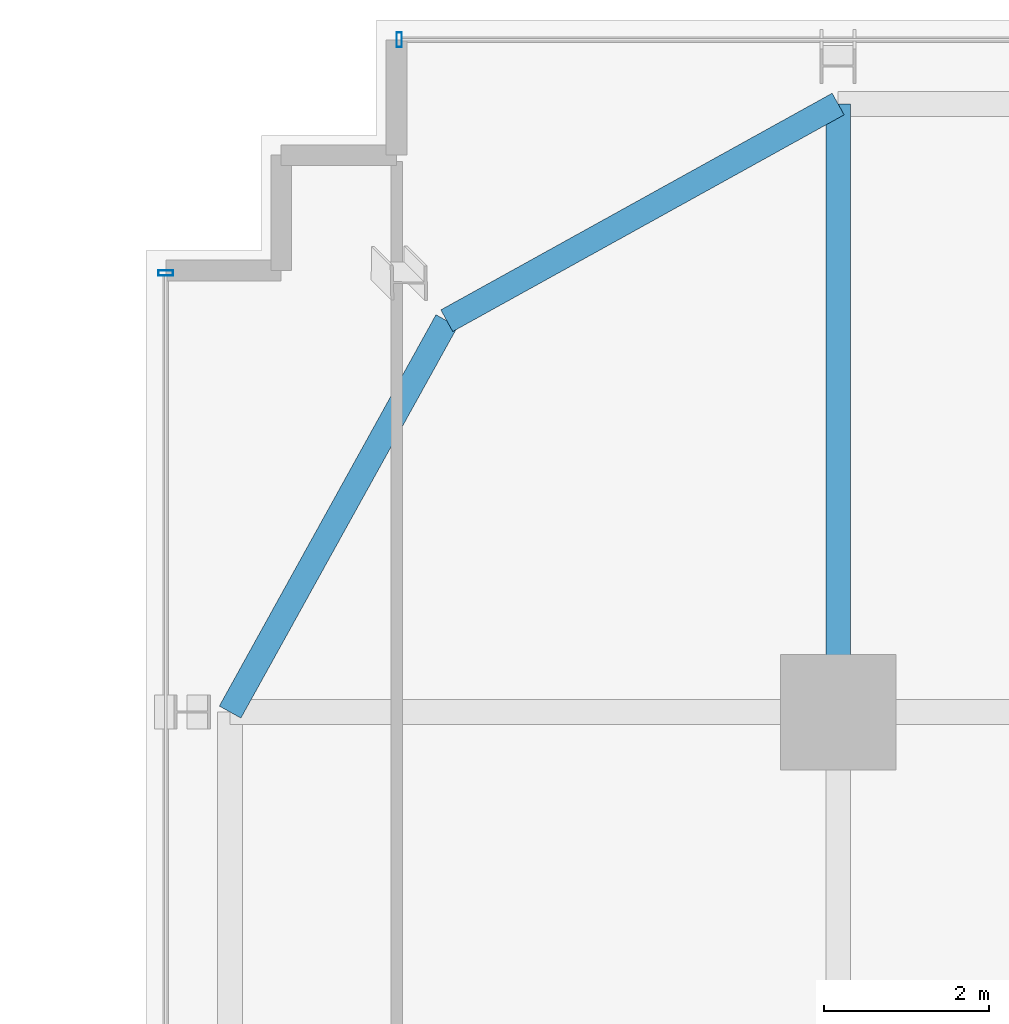
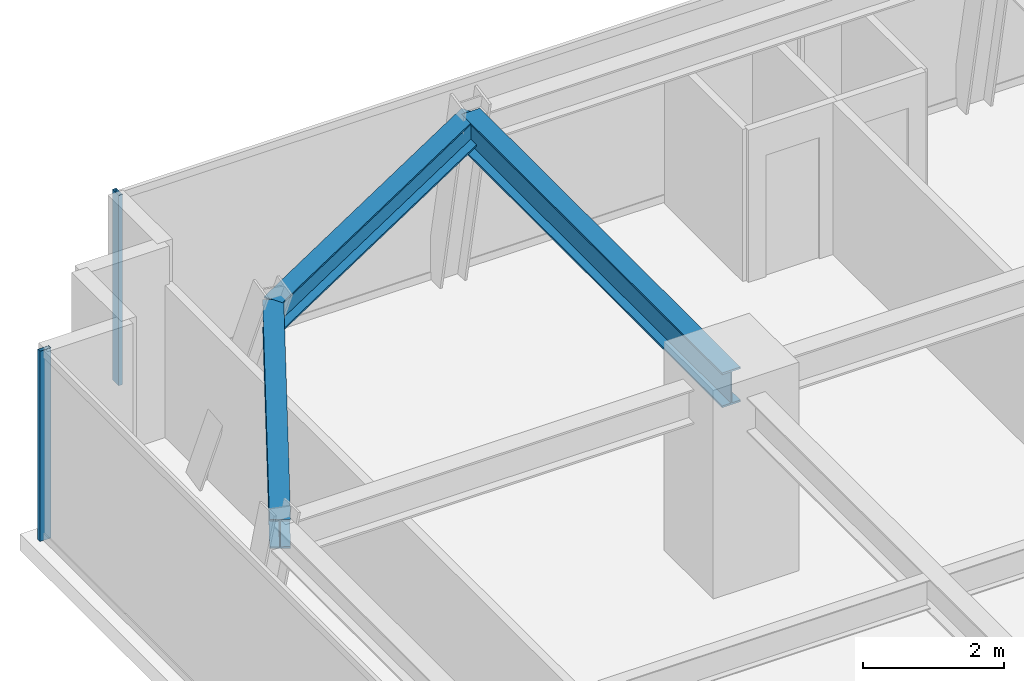
# One storey, part 19 of 35: 3 beams, 2 members, 2 elements without a shape of their own.
"""IFC4 building model written with IfcOpenShell, lengths in metres."""

from ifc_helpers import new_model, si_unit, direction, frame, origin, origin_2d, place, context, subcontext, project, spatial, hollow_rectangle, i_section, extrude, source, transform, mapped, material, material_profile, profile_set, type_object, element, aggregate, save


model = new_model("IFC4")

# Units and contexts
model_context = context("Model", 3, precision=1e-05, world=origin(), true_north=direction((0.0, 1.0)))
body_context = subcontext(model_context, "Body", "Model", "MODEL_VIEW")
ifc_project = project(units=[si_unit("LENGTHUNIT", "METRE"), si_unit("AREAUNIT", "SQUARE_METRE"), si_unit("VOLUMEUNIT", "CUBIC_METRE"), si_unit("PLANEANGLEUNIT", "RADIAN"), si_unit("MASSUNIT", "GRAM", prefix="KILO")], contexts=[model_context])

# Site, building, storey
site_placement = place(None, origin())
site = spatial("IfcSite", under=ifc_project, at=site_placement, CompositionType="ELEMENT")
building_placement = place(site_placement, origin())
building = spatial("IfcBuilding", under=site, at=building_placement, Name="Nahalor Promenade Grand Hotel", CompositionType="ELEMENT")
storey_placement = place(building_placement, frame((0.0, 0.0, 79.85009765625)))
storey = spatial("IfcBuildingStorey", under=building, at=storey_placement, Name="L19", CompositionType="ELEMENT", Elevation=79.85009765625)

# Beams
ifc_material_1 = material(Name="Steel S355JR", Category="steel")
ifc_material_profile_1 = material_profile(ifc_material_1, i_section(OverallWidth=0.3, OverallDepth=0.6, WebThickness=0.0155, FlangeThickness=0.03, at=origin_2d()), Name="HEB 600")
ifc_profile_set_1 = profile_set([ifc_material_profile_1], Name="Steel S355JR")
beam_type_1 = type_object("IfcBeamType", Name="Beam-Girder-HEB600", PredefinedType="BEAM", material=ifc_profile_set_1)
shared_shape_1 = source(origin(), body_context, "Body", "SweptSolid", [
    extrude(i_section(OverallWidth=0.3, OverallDepth=0.6, WebThickness=0.0155, FlangeThickness=0.03, at=origin_2d()), origin(), (0.0, 0.0, 1.0), 7.3798828125),
])
beam_placement = place(storey_placement, frame((-17.0, 17.0, 2.989990234375), z_axis=(0.0, 1.0, 0.0), x_axis=(-1.0, 0.0, 0.0)))
element("IfcBeam", 1, at=beam_placement, inside=storey, type_object=beam_type_1, Name="BM-L19-GY-0-4", PredefinedType="BEAM", context=body_context, shape_type="MappedRepresentation", body=[
    mapped(shared_shape_1, transform((0.0, 0.0, 0.0), scale=1.0)),
])
ifc_material_profile_2 = material_profile(ifc_material_1, i_section(OverallWidth=0.3, OverallDepth=0.5, WebThickness=0.0145, FlangeThickness=0.028, at=origin_2d()), Name="HEB 500")
ifc_profile_set_2 = profile_set([ifc_material_profile_2], Name="Steel S355JR")
beam_type_2 = type_object("IfcBeamType", Name="Beam-Spandrel-HEB500", PredefinedType="SPANDREL", material=ifc_profile_set_2)
shared_shape_2 = source(origin(), body_context, "Body", "SweptSolid", [
    extrude(i_section(OverallWidth=0.3, OverallDepth=0.5, WebThickness=0.0145, FlangeThickness=0.028, at=origin_2d()), origin(), (0.0, 0.0, 1.0), 5.429443359375),
])
for number, where, z_axis, x_axis, name in (
    (2, (-17.0, 24.3798828125, 3.039794921875), (-0.874860543329, -0.484374885523, 0.0), (0.484374885523, -0.874860543329, 0.0), "BM-L19-SPC-NW-1"),
    (3, (-21.75, 21.75, 3.039794921875), (-0.484374885523, -0.874860543329, 0.0), (0.874860543329, -0.484374885523, 0.0), "BM-L19-SPC-NW-2"),
):
    element("IfcBeam", number, at=place(storey_placement, frame(where, z_axis=z_axis, x_axis=x_axis)), inside=storey, type_object=beam_type_2, Name=name, PredefinedType="SPANDREL", context=body_context, shape_type="MappedRepresentation", body=[
        mapped(shared_shape_2, transform((0.0, 0.0, 0.0), scale=1.0)),
    ])

# Curtain wall, member
ifc_material_2 = material(Name="Anodised Bronze Aluminium EN AW-6063 T6", Category="aluminium")
curtain_wall_type = type_object("IfcCurtainWallType", Name="CW2 Typical Hotel Flush Bronze Unitised Curtain Wall", PredefinedType="USERDEFINED", material=ifc_material_2)
curtain_wall_1_placement = place(storey_placement, origin())
curtain_wall_1 = element("IfcCurtainWall", 4, at=curtain_wall_1_placement, inside=storey, type_object=curtain_wall_type, Name="L19 Curtain Wall CW-L19-N-1", ObjectType="UNITISED_CURTAIN_WALL", PredefinedType="USERDEFINED")
ifc_material_profile_3 = material_profile(ifc_material_2, hollow_rectangle(XDim=0.065, YDim=0.18, WallThickness=0.004, at=origin_2d()), Name="CWM 65x180x4")
ifc_profile_set_3 = profile_set([ifc_material_profile_3], Name="Anodised Bronze Aluminium EN AW-6063 T6")
member_type = type_object("IfcMemberType", Name="CWM2 Typical Bronze Mullion 65x180", PredefinedType="MULLION", material=ifc_profile_set_3)
shared_shape_3 = source(origin(), body_context, "Body", "SweptSolid", [
    extrude(hollow_rectangle(XDim=0.065, YDim=0.18, WallThickness=0.004, at=origin_2d()), origin(), (0.0, 0.0, 1.0), 3.289794921875),
])
member_1_placement = place(storey_placement, frame((-22.327392578125, 25.159912109375, 0.0), z_axis=(0.0, 0.0, 1.0), x_axis=(1.0, 0.0, 0.0)))
member_1 = element("IfcMember", 5, at=member_1_placement, type_object=member_type, Name="CW-L19-N-1 Mullion 0", PredefinedType="MULLION", context=body_context, shape_type="MappedRepresentation", body=[
    mapped(shared_shape_3, transform((0.0, 0.0, 0.0), scale=1.0)),
])
aggregate(curtain_wall_1, [member_1])

curtain_wall_2_placement = place(storey_placement, origin())
curtain_wall_2 = element("IfcCurtainWall", 6, at=curtain_wall_2_placement, inside=storey, type_object=curtain_wall_type, Name="L19 Curtain Wall CW-L19-W-3", ObjectType="UNITISED_CURTAIN_WALL", PredefinedType="USERDEFINED")
member_2_placement = place(storey_placement, frame((-25.159912109375, 22.327392578125, 0.0), z_axis=(0.0, 0.0, 1.0), x_axis=(0.0, 1.0, 0.0)))
member_2 = element("IfcMember", 7, at=member_2_placement, type_object=member_type, Name="CW-L19-W-3 Mullion 3", PredefinedType="MULLION", context=body_context, shape_type="MappedRepresentation", body=[
    mapped(shared_shape_3, transform((0.0, 0.0, 0.0), scale=1.0)),
])
aggregate(curtain_wall_2, [member_2])

save(model, "model.ifc")
